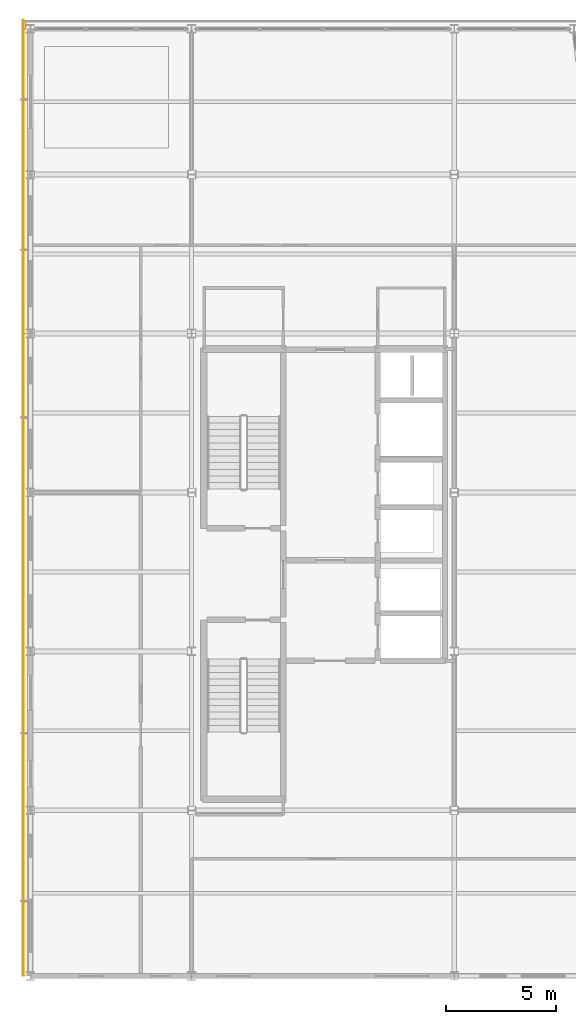
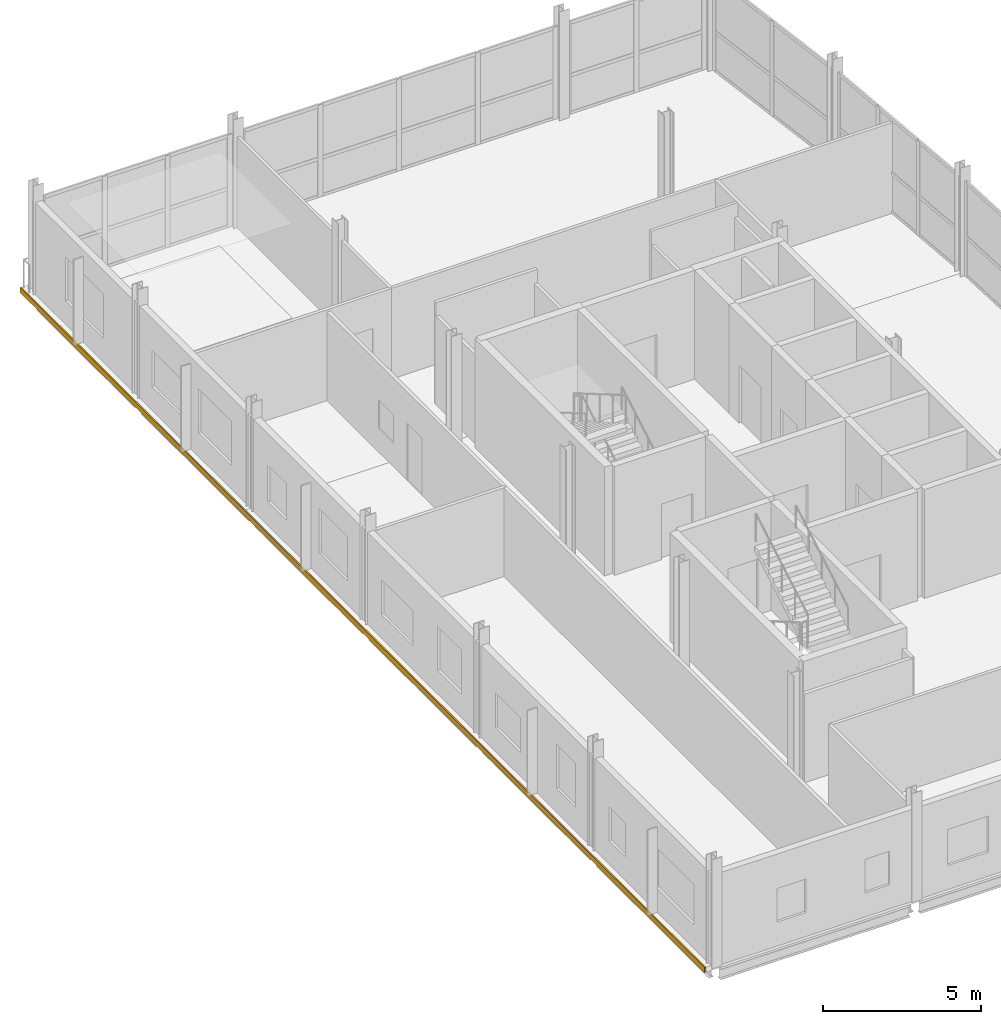
# One storey, part 15 of 16: 1 covering.
"""IFC4 building model written with IfcOpenShell, lengths in metres."""

from ifc_helpers import new_model, si_unit, direction, frame, origin, place, context, subcontext, project, spatial, polyline, outline, extrude, material, layer, layer_set, type_object, element, save


model = new_model("IFC4")

# Units and contexts
model_context = context("Model", 3, precision=1e-05, world=origin(), true_north=direction((0.0, 1.0)))
body_context = subcontext(model_context, "Body", "Model", "MODEL_VIEW")
ifc_project = project(units=[si_unit("LENGTHUNIT", "METRE"), si_unit("AREAUNIT", "SQUARE_METRE"), si_unit("VOLUMEUNIT", "CUBIC_METRE"), si_unit("PLANEANGLEUNIT", "RADIAN"), si_unit("MASSUNIT", "GRAM", prefix="KILO")], contexts=[model_context])

# Site, building, storey
site_placement = place(None, origin())
site = spatial("IfcSite", under=ifc_project, at=site_placement, CompositionType="ELEMENT")
building_placement = place(site_placement, origin())
building = spatial("IfcBuilding", under=site, at=building_placement, Name="Quillay Park Conservatory", CompositionType="ELEMENT")
storey_placement = place(building_placement, frame((0.0, 0.0, 43.5)))
storey = spatial("IfcBuildingStorey", under=building, at=storey_placement, Name="L10", CompositionType="ELEMENT", Elevation=43.5)

# Covering
ifc_material = material(Name="Glass-Fibre Reinforced Concrete (GRC) Cladding", Category="concrete")
ifc_layer = layer(ifc_material, 0.044921875)
ifc_layer_set = layer_set([ifc_layer], Name="GRC SPANDREL CLADDING 45 (Glass-Fibre Reinforced Concrete (GRC) Cladding)")
covering_type = type_object("IfcCoveringType", Name="GRC SPANDREL CLADDING 45", PredefinedType="CLADDING", material=ifc_layer_set)
covering_placement = place(storey_placement, frame((0.0, 0.0, -0.199951171875)))
element("IfcCovering", 1, at=covering_placement, inside=storey, type_object=covering_type, Name="L10 West Folded GRC Spandrel Ribbon", PredefinedType="CLADDING", context=body_context, shape_type="SweptSolid", body=[
    extrude(outline(polyline([(0.205078125, 70.5), (0.25, 70.5), (0.25, 113.800048828125), (0.205078125, 113.800048828125), (0.205078125, 70.5)])), origin(), (0.0, 0.0, 1.0), 0.199951171875),
])

save(model, "model.ifc")
